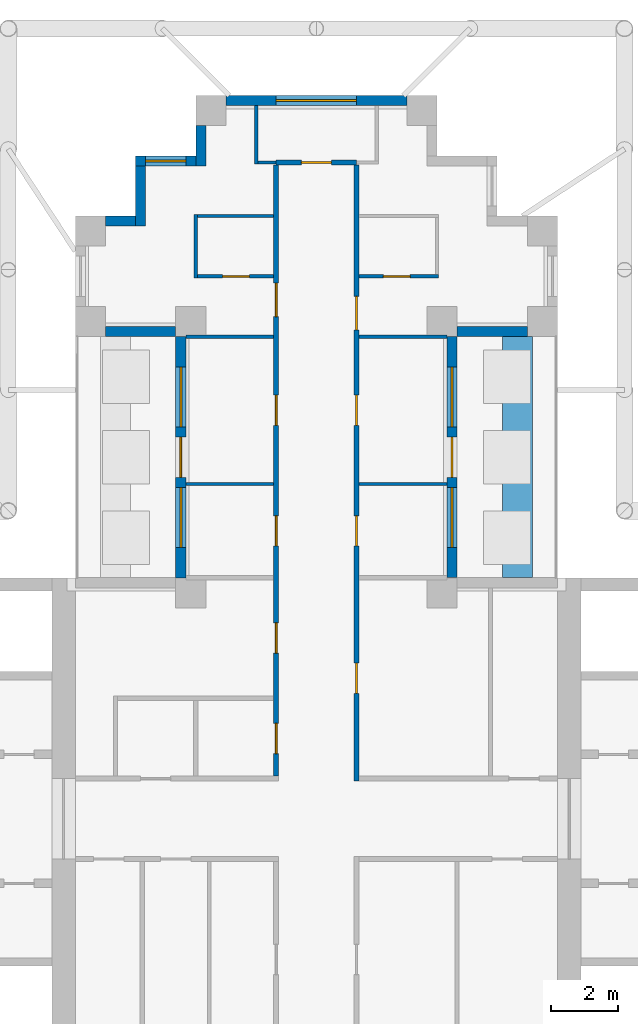
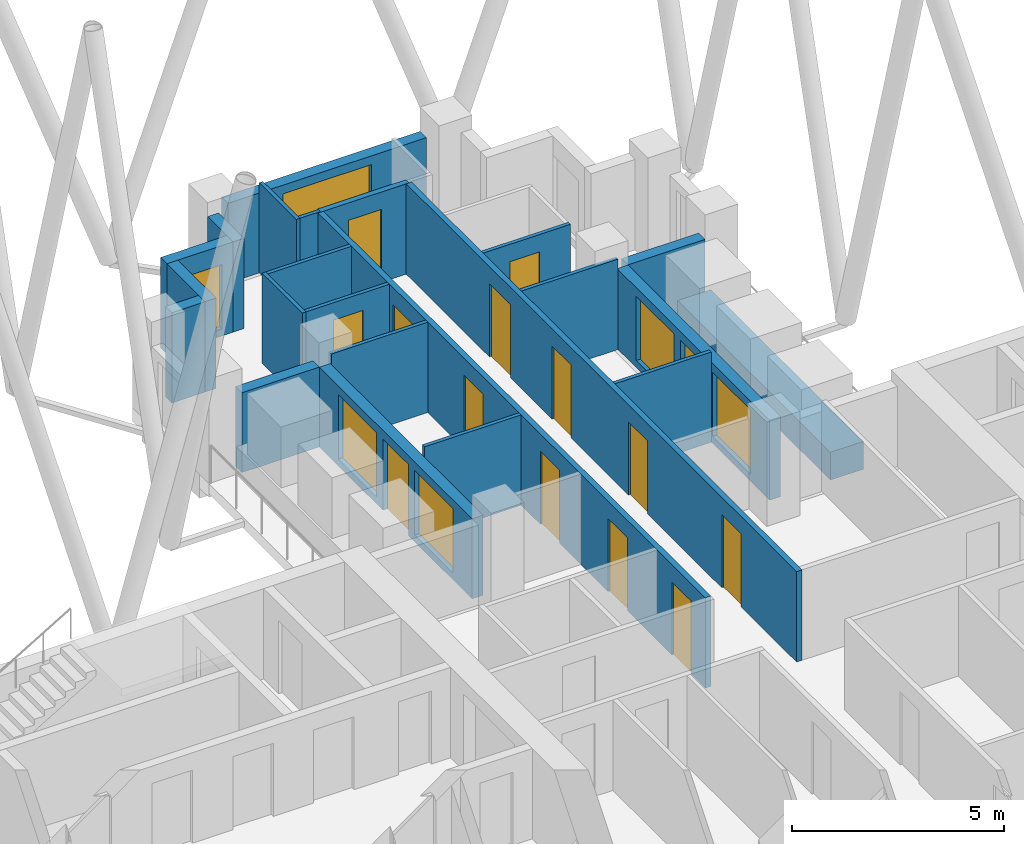
# One storey, part 8 of 11: 23 walls, 14 doors, 6 windows, 20 openings.
"""IFC4 building model written with IfcOpenShell, lengths in metres."""

from ifc_helpers import new_model, si_unit, direction, frame, frame_2d, origin, place, context, subcontext, project, spatial, rectangle, extrude, material, layer, layer_set, type_object, element, fill, save


model = new_model("IFC4")

# Units and contexts
model_context = context("Model", 3, precision=1e-05, world=origin(), true_north=direction((0.0, 1.0)))
body_context = subcontext(model_context, "Body", "Model", "MODEL_VIEW")
ifc_project = project(units=[si_unit("LENGTHUNIT", "METRE"), si_unit("AREAUNIT", "SQUARE_METRE"), si_unit("VOLUMEUNIT", "CUBIC_METRE"), si_unit("PLANEANGLEUNIT", "RADIAN"), si_unit("MASSUNIT", "GRAM", prefix="KILO")], contexts=[model_context])

# Site, building, storey
site_placement = place(None, origin())
site = spatial("IfcSite", under=ifc_project, at=site_placement, CompositionType="ELEMENT")
building_placement = place(site_placement, origin())
building = spatial("IfcBuilding", under=site, at=building_placement, Name="Fustian Cross Tower", CompositionType="ELEMENT")
storey_placement = place(building_placement, frame((0.0, 0.0, 234.89990234375)))
storey = spatial("IfcBuildingStorey", under=building, at=storey_placement, Name="L74", CompositionType="ELEMENT", Elevation=234.89990234375)

# Wall, openings, doors
ifc_material_1 = material(Name="Plasterboard on steel stud", Category="steel")
ifc_layer_1 = layer(ifc_material_1, 0.14990234375)
ifc_layer_set_1 = layer_set([ifc_layer_1], Name="Plasterboard on steel stud")
wall_type_1 = type_object("IfcWallType", Name="COMPARTMENT WALL 150 EI 60", PredefinedType="PARTITIONING", material=ifc_layer_set_1)
wall_1_placement = place(storey_placement, frame((-1.199951171875, 1.27490234375, 0.0), z_axis=(0.0, 0.0, 1.0), x_axis=(0.0, 1.0, 0.0)))
wall_1 = element("IfcWall", 1, at=wall_1_placement, inside=storey, type_object=wall_type_1, Name="Partition 40", PredefinedType="PARTITIONING", context=body_context, shape_type="SweptSolid", body=[
    extrude(rectangle(XDim=18.25, YDim=0.14990234375, at=frame_2d((9.125, 0.0))), origin(), (0.0, 0.0, 1.0), 2.60009765625),
])
opening_1_placement = place(wall_1_placement, frame((0.675048828125, 0.0, 0.0)))
opening_1 = element("IfcOpeningElement", 2, at=opening_1_placement, cuts=wall_1, Name="Opening D33003", PredefinedType="OPENING", context=body_context, shape_type="SweptSolid", body=[
    extrude(rectangle(XDim=0.89990234375, YDim=2.10009765625, at=frame_2d((0.449951171875, 1.050048828125))), frame((0.0, 0.0849609375, 0.0), z_axis=(0.0, -1.0, 0.0), x_axis=(1.0, 0.0, 0.0)), (0.0, 0.0, 1.0), 0.169921875),
])
opening_2_placement = place(wall_1_placement, frame((3.675048828125, 0.0, 0.0)))
opening_2 = element("IfcOpeningElement", 3, at=opening_2_placement, cuts=wall_1, Name="Opening D33005", PredefinedType="OPENING", context=body_context, shape_type="SweptSolid", body=[
    extrude(rectangle(XDim=0.89990234375, YDim=2.10009765625, at=frame_2d((0.449951171875, 1.050048828125))), frame((0.0, 0.0849609375, 0.0), z_axis=(0.0, -1.0, 0.0), x_axis=(1.0, 0.0, 0.0)), (0.0, 0.0, 1.0), 0.169921875),
])
opening_3_placement = place(wall_1_placement, frame((6.875, 0.0, 0.0)))
opening_3 = element("IfcOpeningElement", 4, at=opening_3_placement, cuts=wall_1, Name="Opening D33018", PredefinedType="OPENING", context=body_context, shape_type="SweptSolid", body=[
    extrude(rectangle(XDim=0.89990234375, YDim=2.10009765625, at=frame_2d((0.449951171875, 1.050048828125))), frame((0.0, 0.0849609375, 0.0), z_axis=(0.0, -1.0, 0.0), x_axis=(1.0, 0.0, 0.0)), (0.0, 0.0, 1.0), 0.169921875),
])
opening_4_placement = place(wall_1_placement, frame((10.47509765625, 0.0, 0.0)))
opening_4 = element("IfcOpeningElement", 5, at=opening_4_placement, cuts=wall_1, Name="Opening D33019", PredefinedType="OPENING", context=body_context, shape_type="SweptSolid", body=[
    extrude(rectangle(XDim=0.89990234375, YDim=2.10009765625, at=frame_2d((0.449951171875, 1.050048828125))), frame((0.0, 0.0849609375, 0.0), z_axis=(0.0, -1.0, 0.0), x_axis=(1.0, 0.0, 0.0)), (0.0, 0.0, 1.0), 0.169921875),
])
opening_5_placement = place(wall_1_placement, frame((13.72509765625, 0.0, 0.0)))
opening_5 = element("IfcOpeningElement", 6, at=opening_5_placement, cuts=wall_1, Name="Opening D33021", PredefinedType="OPENING", context=body_context, shape_type="SweptSolid", body=[
    extrude(rectangle(XDim=1.0, YDim=2.10009765625, at=frame_2d((0.5, 1.050048828125))), frame((0.0, 0.0849609375, 0.0), z_axis=(0.0, -1.0, 0.0), x_axis=(1.0, 0.0, 0.0)), (0.0, 0.0, 1.0), 0.169921875),
])
ifc_material_2 = material(Name="Timber fire door set", Category="wood")
door_type_1 = type_object("IfcDoorType", Name="FIRE SWING DOOR 1000 FD30S", OperationType="SINGLE_SWING_LEFT", PredefinedType="DOOR", material=ifc_material_2)
door_1_placement = place(opening_5_placement, origin())
door_1 = element("IfcDoor", 7, at=door_1_placement, inside=storey, type_object=door_type_1, Name="Door D33021", OperationType="SINGLE_SWING_RIGHT", OverallHeight=2.10009765625, OverallWidth=1.0, PredefinedType="DOOR", context=body_context, shape_type="SweptSolid", body=[
    extrude(rectangle(XDim=1.0, YDim=2.10009765625, at=frame_2d((0.5, 1.050048828125))), frame((0.0, 0.02490234375, 0.0), z_axis=(0.0, -1.0, 0.0), x_axis=(1.0, 0.0, 0.0)), (0.0, 0.0, 1.0), 0.050048828125),
])
fill(opening_5, door_1)
ifc_material_3 = material(Name="Timber fire door set", Category="wood")
door_type_2 = type_object("IfcDoorType", Name="FIRE SWING DOOR 900 FD30S", OperationType="SINGLE_SWING_LEFT", PredefinedType="DOOR", material=ifc_material_3)
door_2_placement = place(opening_1_placement, origin())
door_2 = element("IfcDoor", 8, at=door_2_placement, inside=storey, type_object=door_type_2, Name="Door D33003", OperationType="SINGLE_SWING_LEFT", OverallHeight=2.10009765625, OverallWidth=0.89990234375, PredefinedType="DOOR", context=body_context, shape_type="SweptSolid", body=[
    extrude(rectangle(XDim=0.89990234375, YDim=2.10009765625, at=frame_2d((0.449951171875, 1.050048828125))), frame((0.0, 0.02490234375, 0.0), z_axis=(0.0, -1.0, 0.0), x_axis=(1.0, 0.0, 0.0)), (0.0, 0.0, 1.0), 0.050048828125),
])
fill(opening_1, door_2)
door_3_placement = place(opening_2_placement, origin())
door_3 = element("IfcDoor", 9, at=door_3_placement, inside=storey, type_object=door_type_2, Name="Door D33005", OperationType="SINGLE_SWING_LEFT", OverallHeight=2.10009765625, OverallWidth=0.89990234375, PredefinedType="DOOR", context=body_context, shape_type="SweptSolid", body=[
    extrude(rectangle(XDim=0.89990234375, YDim=2.10009765625, at=frame_2d((0.449951171875, 1.050048828125))), frame((0.0, 0.02490234375, 0.0), z_axis=(0.0, -1.0, 0.0), x_axis=(1.0, 0.0, 0.0)), (0.0, 0.0, 1.0), 0.050048828125),
])
fill(opening_2, door_3)
door_4_placement = place(opening_3_placement, origin())
door_4 = element("IfcDoor", 10, at=door_4_placement, inside=storey, type_object=door_type_2, Name="Door D33018", OperationType="SINGLE_SWING_LEFT", OverallHeight=2.10009765625, OverallWidth=0.89990234375, PredefinedType="DOOR", context=body_context, shape_type="SweptSolid", body=[
    extrude(rectangle(XDim=0.89990234375, YDim=2.10009765625, at=frame_2d((0.449951171875, 1.050048828125))), frame((0.0, 0.02490234375, 0.0), z_axis=(0.0, -1.0, 0.0), x_axis=(1.0, 0.0, 0.0)), (0.0, 0.0, 1.0), 0.050048828125),
])
fill(opening_3, door_4)
door_5_placement = place(opening_4_placement, origin())
door_5 = element("IfcDoor", 11, at=door_5_placement, inside=storey, type_object=door_type_2, Name="Door D33019", OperationType="SINGLE_SWING_LEFT", OverallHeight=2.10009765625, OverallWidth=0.89990234375, PredefinedType="DOOR", context=body_context, shape_type="SweptSolid", body=[
    extrude(rectangle(XDim=0.89990234375, YDim=2.10009765625, at=frame_2d((0.449951171875, 1.050048828125))), frame((0.0, 0.02490234375, 0.0), z_axis=(0.0, -1.0, 0.0), x_axis=(1.0, 0.0, 0.0)), (0.0, 0.0, 1.0), 0.050048828125),
])
fill(opening_4, door_5)

# Wall, opening, door
wall_2_placement = place(storey_placement, frame((-1.199951171875, 19.60009765625, 0.0), z_axis=(0.0, 0.0, 1.0), x_axis=(1.0, 0.0, 0.0)))
wall_2 = element("IfcWall", 12, at=wall_2_placement, inside=storey, type_object=wall_type_1, Name="Partition 41", PredefinedType="PARTITIONING", context=body_context, shape_type="SweptSolid", body=[
    extrude(rectangle(XDim=2.39990234375, YDim=0.14990234375, at=frame_2d((1.199951171875, 0.0))), origin(), (0.0, 0.0, 1.0), 2.60009765625),
])
opening_6_placement = place(wall_2_placement, frame((0.75, 0.0, 0.0)))
opening_6 = element("IfcOpeningElement", 13, at=opening_6_placement, cuts=wall_2, Name="Opening D33017", PredefinedType="OPENING", context=body_context, shape_type="SweptSolid", body=[
    extrude(rectangle(XDim=0.89990234375, YDim=2.10009765625, at=frame_2d((0.449951171875, 1.050048828125))), frame((0.0, 0.0849609375, 0.0), z_axis=(0.0, -1.0, 0.0), x_axis=(1.0, 0.0, 0.0)), (0.0, 0.0, 1.0), 0.169921875),
])
door_6_placement = place(opening_6_placement, origin())
door_6 = element("IfcDoor", 14, at=door_6_placement, inside=storey, type_object=door_type_2, Name="Door D33017", OperationType="SINGLE_SWING_LEFT", OverallHeight=2.10009765625, OverallWidth=0.89990234375, PredefinedType="DOOR", context=body_context, shape_type="SweptSolid", body=[
    extrude(rectangle(XDim=0.89990234375, YDim=2.10009765625, at=frame_2d((0.449951171875, 1.050048828125))), frame((0.0, 0.02490234375, 0.0), z_axis=(0.0, -1.0, 0.0), x_axis=(1.0, 0.0, 0.0)), (0.0, 0.0, 1.0), 0.050048828125),
])
fill(opening_6, door_6)

# Wall, openings, doors
wall_3_placement = place(storey_placement, frame((1.199951171875, 1.125, 0.0), z_axis=(0.0, 0.0, 1.0), x_axis=(0.0, 1.0, 0.0)))
wall_3 = element("IfcWall", 15, at=wall_3_placement, inside=storey, type_object=wall_type_1, Name="Partition 48", PredefinedType="PARTITIONING", context=body_context, shape_type="SweptSolid", body=[
    extrude(rectangle(XDim=18.39990234375, YDim=0.14990234375, at=frame_2d((9.199951171875, 0.0))), origin(), (0.0, 0.0, 1.0), 2.60009765625),
])
opening_7_placement = place(wall_3_placement, frame((2.625, 0.0, 0.0)))
opening_7 = element("IfcOpeningElement", 16, at=opening_7_placement, cuts=wall_3, Name="Opening D33001", PredefinedType="OPENING", context=body_context, shape_type="SweptSolid", body=[
    extrude(rectangle(XDim=0.89990234375, YDim=2.10009765625, at=frame_2d((0.449951171875, 1.050048828125))), frame((0.0, 0.0849609375, 0.0), z_axis=(0.0, -1.0, 0.0), x_axis=(1.0, 0.0, 0.0)), (0.0, 0.0, 1.0), 0.169921875),
])
opening_8_placement = place(wall_3_placement, frame((7.02490234375, 0.0, 0.0)))
opening_8 = element("IfcOpeningElement", 17, at=opening_8_placement, cuts=wall_3, Name="Opening D33022", PredefinedType="OPENING", context=body_context, shape_type="SweptSolid", body=[
    extrude(rectangle(XDim=0.89990234375, YDim=2.10009765625, at=frame_2d((0.449951171875, 1.050048828125))), frame((0.0, 0.0849609375, 0.0), z_axis=(0.0, -1.0, 0.0), x_axis=(1.0, 0.0, 0.0)), (0.0, 0.0, 1.0), 0.169921875),
])
opening_9_placement = place(wall_3_placement, frame((10.625, 0.0, 0.0)))
opening_9 = element("IfcOpeningElement", 18, at=opening_9_placement, cuts=wall_3, Name="Opening D33023", PredefinedType="OPENING", context=body_context, shape_type="SweptSolid", body=[
    extrude(rectangle(XDim=0.89990234375, YDim=2.10009765625, at=frame_2d((0.449951171875, 1.050048828125))), frame((0.0, 0.0849609375, 0.0), z_axis=(0.0, -1.0, 0.0), x_axis=(1.0, 0.0, 0.0)), (0.0, 0.0, 1.0), 0.169921875),
])
opening_10_placement = place(wall_3_placement, frame((13.47509765625, 0.0, 0.0)))
opening_10 = element("IfcOpeningElement", 19, at=opening_10_placement, cuts=wall_3, Name="Opening D33025", PredefinedType="OPENING", context=body_context, shape_type="SweptSolid", body=[
    extrude(rectangle(XDim=1.0, YDim=2.10009765625, at=frame_2d((0.5, 1.050048828125))), frame((0.0, 0.0849609375, 0.0), z_axis=(0.0, -1.0, 0.0), x_axis=(1.0, 0.0, 0.0)), (0.0, 0.0, 1.0), 0.169921875),
])
door_7_placement = place(opening_10_placement, frame((1.0, 0.0, 0.0), z_axis=(0.0, 0.0, 1.0), x_axis=(-1.0, 0.0, 0.0)))
door_7 = element("IfcDoor", 20, at=door_7_placement, inside=storey, type_object=door_type_1, Name="Door D33025", OperationType="SINGLE_SWING_RIGHT", OverallHeight=2.10009765625, OverallWidth=1.0, PredefinedType="DOOR", context=body_context, shape_type="SweptSolid", body=[
    extrude(rectangle(XDim=1.0, YDim=2.10009765625, at=frame_2d((0.5, 1.050048828125))), frame((0.0, 0.02490234375, 0.0), z_axis=(0.0, -1.0, 0.0), x_axis=(1.0, 0.0, 0.0)), (0.0, 0.0, 1.0), 0.050048828125),
])
fill(opening_10, door_7)
door_8_placement = place(opening_7_placement, frame((0.89990234375, 0.0, 0.0), z_axis=(0.0, 0.0, 1.0), x_axis=(-1.0, 0.0, 0.0)))
door_8 = element("IfcDoor", 21, at=door_8_placement, inside=storey, type_object=door_type_2, Name="Door D33001", OperationType="SINGLE_SWING_RIGHT", OverallHeight=2.10009765625, OverallWidth=0.89990234375, PredefinedType="DOOR", context=body_context, shape_type="SweptSolid", body=[
    extrude(rectangle(XDim=0.89990234375, YDim=2.10009765625, at=frame_2d((0.449951171875, 1.050048828125))), frame((0.0, 0.02490234375, 0.0), z_axis=(0.0, -1.0, 0.0), x_axis=(1.0, 0.0, 0.0)), (0.0, 0.0, 1.0), 0.050048828125),
])
fill(opening_7, door_8)
door_9_placement = place(opening_8_placement, frame((0.89990234375, 0.0, 0.0), z_axis=(0.0, 0.0, 1.0), x_axis=(-1.0, 0.0, 0.0)))
door_9 = element("IfcDoor", 22, at=door_9_placement, inside=storey, type_object=door_type_2, Name="Door D33022", OperationType="SINGLE_SWING_RIGHT", OverallHeight=2.10009765625, OverallWidth=0.89990234375, PredefinedType="DOOR", context=body_context, shape_type="SweptSolid", body=[
    extrude(rectangle(XDim=0.89990234375, YDim=2.10009765625, at=frame_2d((0.449951171875, 1.050048828125))), frame((0.0, 0.02490234375, 0.0), z_axis=(0.0, -1.0, 0.0), x_axis=(1.0, 0.0, 0.0)), (0.0, 0.0, 1.0), 0.050048828125),
])
fill(opening_8, door_9)
door_10_placement = place(opening_9_placement, frame((0.89990234375, 0.0, 0.0), z_axis=(0.0, 0.0, 1.0), x_axis=(-1.0, 0.0, 0.0)))
door_10 = element("IfcDoor", 23, at=door_10_placement, inside=storey, type_object=door_type_2, Name="Door D33023", OperationType="SINGLE_SWING_RIGHT", OverallHeight=2.10009765625, OverallWidth=0.89990234375, PredefinedType="DOOR", context=body_context, shape_type="SweptSolid", body=[
    extrude(rectangle(XDim=0.89990234375, YDim=2.10009765625, at=frame_2d((0.449951171875, 1.050048828125))), frame((0.0, 0.02490234375, 0.0), z_axis=(0.0, -1.0, 0.0), x_axis=(1.0, 0.0, 0.0)), (0.0, 0.0, 1.0), 0.050048828125),
])
fill(opening_9, door_10)

# Walls
ifc_material_4 = material(Name="Plasterboard on steel stud", Category="steel")
ifc_layer_2 = layer(ifc_material_4, 0.10009765625)
ifc_layer_set_2 = layer_set([ifc_layer_2], Name="Plasterboard on steel stud")
wall_type_2 = type_object("IfcWallType", Name="PARTITION 100 STUD", PredefinedType="PARTITIONING", material=ifc_layer_set_2)
for number, where, z_axis, x_axis, name in (
    (24, (-3.89990234375, 10.0, 0.0), (0.0, 0.0, 1.0), (1.0, 0.0, 0.0), "Partition 24"),
    (25, (-3.89990234375, 14.39990234375, 0.0), (0.0, 0.0, 1.0), (1.0, 0.0, 0.0), "Partition 25"),
):
    element("IfcWall", number, at=place(storey_placement, frame(where, z_axis=z_axis, x_axis=x_axis)), inside=storey, type_object=wall_type_2, Name=name, PredefinedType="PARTITIONING", context=body_context, shape_type="SweptSolid", body=[
        extrude(rectangle(XDim=2.625, YDim=0.10009765625, at=frame_2d((1.3125, 0.0))), origin(), (0.0, 0.0, 1.0), 2.60009765625),
    ])
wall_4_placement = place(storey_placement, frame((-3.60009765625, 16.14990234375, 0.0), z_axis=(0.0, 0.0, 1.0), x_axis=(0.0, 1.0, 0.0)))
element("IfcWall", 26, at=wall_4_placement, inside=storey, type_object=wall_type_2, Name="Partition 30", PredefinedType="PARTITIONING", context=body_context, shape_type="SweptSolid", body=[
    extrude(rectangle(XDim=1.900146484375, YDim=0.10009765625, at=frame_2d((0.9501953125, 0.0))), origin(), (0.0, 0.0, 1.0), 2.60009765625),
])

# Wall, opening, door
wall_5_placement = place(storey_placement, frame((-3.550048828125, 16.199951171875, 0.0), z_axis=(0.0, 0.0, 1.0), x_axis=(1.0, 0.0, 0.0)))
wall_5 = element("IfcWall", 27, at=wall_5_placement, inside=storey, type_object=wall_type_2, Name="Partition 31", PredefinedType="PARTITIONING", context=body_context, shape_type="SweptSolid", body=[
    extrude(rectangle(XDim=2.275146484375, YDim=0.10009765625, at=frame_2d((1.1376953125, 0.0))), origin(), (0.0, 0.0, 1.0), 2.60009765625),
])
opening_11_placement = place(wall_5_placement, frame((0.75, 0.0, 0.0)))
opening_11 = element("IfcOpeningElement", 28, at=opening_11_placement, cuts=wall_5, Name="Opening D33020", PredefinedType="OPENING", context=body_context, shape_type="SweptSolid", body=[
    extrude(rectangle(XDim=0.800048828125, YDim=2.10009765625, at=frame_2d((0.39990234375, 1.050048828125))), frame((0.0, 0.06005859375, 0.0), z_axis=(0.0, -1.0, 0.0), x_axis=(1.0, 0.0, 0.0)), (0.0, 0.0, 1.0), 0.1201171875),
])
ifc_material_5 = material(Name="Painted timber", Category="wood")
door_type_3 = type_object("IfcDoorType", Name="SWING DOOR 800", OperationType="SINGLE_SWING_LEFT", PredefinedType="DOOR", material=ifc_material_5)
door_11_placement = place(opening_11_placement, origin())
door_11 = element("IfcDoor", 29, at=door_11_placement, inside=storey, type_object=door_type_3, Name="Door D33020", OperationType="SINGLE_SWING_LEFT", OverallHeight=2.10009765625, OverallWidth=0.800048828125, PredefinedType="DOOR", context=body_context, shape_type="SweptSolid", body=[
    extrude(rectangle(XDim=0.800048828125, YDim=2.10009765625, at=frame_2d((0.39990234375, 1.050048828125))), frame((0.0, 0.02490234375, 0.0), z_axis=(0.0, -1.0, 0.0), x_axis=(1.0, 0.0, 0.0)), (0.0, 0.0, 1.0), 0.050048828125),
])
fill(opening_11, door_11)

# Walls
wall_6_placement = place(storey_placement, frame((-3.550048828125, 18.0, 0.0), z_axis=(0.0, 0.0, 1.0), x_axis=(1.0, 0.0, 0.0)))
element("IfcWall", 30, at=wall_6_placement, inside=storey, type_object=wall_type_2, Name="Partition 32", PredefinedType="PARTITIONING", context=body_context, shape_type="SweptSolid", body=[
    extrude(rectangle(XDim=2.275146484375, YDim=0.10009765625, at=frame_2d((1.1376953125, 0.0))), origin(), (0.0, 0.0, 1.0), 2.60009765625),
])
wall_7_placement = place(storey_placement, frame((-1.800048828125, 19.550048828125, 0.0), z_axis=(0.0, 0.0, 1.0), x_axis=(0.0, 1.0, 0.0)))
element("IfcWall", 31, at=wall_7_placement, inside=storey, type_object=wall_type_2, Name="Partition 36", PredefinedType="PARTITIONING", context=body_context, shape_type="SweptSolid", body=[
    extrude(rectangle(XDim=1.75, YDim=0.10009765625, at=frame_2d((0.875, 0.0))), origin(), (0.0, 0.0, 1.0), 2.60009765625),
])
wall_8_placement = place(storey_placement, frame((-1.75, 19.60009765625, 0.0), z_axis=(0.0, 0.0, 1.0), x_axis=(1.0, 0.0, 0.0)))
element("IfcWall", 32, at=wall_8_placement, inside=storey, type_object=wall_type_2, Name="Partition 37", PredefinedType="PARTITIONING", context=body_context, shape_type="SweptSolid", body=[
    extrude(rectangle(XDim=0.550048828125, YDim=0.10009765625, at=frame_2d((0.27490234375, 0.0))), origin(), (0.0, 0.0, 1.0), 2.60009765625),
])
for number, where, z_axis, x_axis, name in (
    (33, (1.27490234375, 10.0, 0.0), (0.0, 0.0, 1.0), (1.0, 0.0, 0.0), "Partition 51"),
    (34, (1.27490234375, 14.39990234375, 0.0), (0.0, 0.0, 1.0), (1.0, 0.0, 0.0), "Partition 52"),
):
    element("IfcWall", number, at=place(storey_placement, frame(where, z_axis=z_axis, x_axis=x_axis)), inside=storey, type_object=wall_type_2, Name=name, PredefinedType="PARTITIONING", context=body_context, shape_type="SweptSolid", body=[
        extrude(rectangle(XDim=2.625, YDim=0.10009765625, at=frame_2d((1.3125, 0.0))), origin(), (0.0, 0.0, 1.0), 2.60009765625),
    ])

# Wall, opening, door
wall_9_placement = place(storey_placement, frame((1.27490234375, 16.199951171875, 0.0), z_axis=(0.0, 0.0, 1.0), x_axis=(1.0, 0.0, 0.0)))
wall_9 = element("IfcWall", 35, at=wall_9_placement, inside=storey, type_object=wall_type_2, Name="Partition 53", PredefinedType="PARTITIONING", context=body_context, shape_type="SweptSolid", body=[
    extrude(rectangle(XDim=2.375, YDim=0.10009765625, at=frame_2d((1.1875, 0.0))), origin(), (0.0, 0.0, 1.0), 2.60009765625),
])
opening_12_placement = place(wall_9_placement, frame((0.72509765625, 0.0, 0.0)))
opening_12 = element("IfcOpeningElement", 36, at=opening_12_placement, cuts=wall_9, Name="Opening D33024", PredefinedType="OPENING", context=body_context, shape_type="SweptSolid", body=[
    extrude(rectangle(XDim=0.800048828125, YDim=2.10009765625, at=frame_2d((0.39990234375, 1.050048828125))), frame((0.0, 0.06005859375, 0.0), z_axis=(0.0, -1.0, 0.0), x_axis=(1.0, 0.0, 0.0)), (0.0, 0.0, 1.0), 0.1201171875),
])
door_12_placement = place(opening_12_placement, origin())
door_12 = element("IfcDoor", 37, at=door_12_placement, inside=storey, type_object=door_type_3, Name="Door D33024", OperationType="SINGLE_SWING_LEFT", OverallHeight=2.10009765625, OverallWidth=0.800048828125, PredefinedType="DOOR", context=body_context, shape_type="SweptSolid", body=[
    extrude(rectangle(XDim=0.800048828125, YDim=2.10009765625, at=frame_2d((0.39990234375, 1.050048828125))), frame((0.0, 0.02490234375, 0.0), z_axis=(0.0, -1.0, 0.0), x_axis=(1.0, 0.0, 0.0)), (0.0, 0.0, 1.0), 0.050048828125),
])
fill(opening_12, door_12)

# Wall
ifc_material_6 = material(Name="Concrete C40/50", Category="concrete")
ifc_layer_3 = layer(ifc_material_6, 0.89990234375)
ifc_layer_set_3 = layer_set([ifc_layer_3], Name="Concrete C40/50")
wall_type_3 = type_object("IfcWallType", Name="PK1 PLANTER 900", PredefinedType="PARAPET", material=ifc_layer_set_3)
wall_10_placement = place(storey_placement, frame((6.0, 7.199951171875, 0.0), z_axis=(0.0, 0.0, 1.0), x_axis=(0.0, 1.0, 0.0)))
element("IfcWall", 38, at=wall_10_placement, inside=storey, type_object=wall_type_3, Name="PLANTER", PredefinedType="PARAPET", context=body_context, shape_type="SweptSolid", body=[
    extrude(rectangle(XDim=7.199951171875, YDim=0.89990234375, at=frame_2d((3.60009765625, 0.0))), origin(), (0.0, 0.0, 1.0), 0.800048828125),
])

# Wall, openings, door, windows
ifc_material_7 = material(Name="Dark aluminium cladding on insulated backing wall", Category="aluminium")
ifc_layer_4 = layer(ifc_material_7, 0.300048828125)
ifc_layer_set_4 = layer_set([ifc_layer_4], Name="Dark aluminium cladding on insulated backing wall")
wall_type_4 = type_object("IfcWallType", Name="XW1 EXTERNAL WALL 300", PredefinedType="SOLIDWALL", material=ifc_layer_set_4)
wall_11_placement = place(storey_placement, frame((4.050048828125, 7.199951171875, 0.0), z_axis=(0.0, 0.0, 1.0), x_axis=(0.0, 1.0, 0.0)))
wall_11 = element("IfcWall", 39, at=wall_11_placement, inside=storey, type_object=wall_type_4, Name="External wall", PredefinedType="SOLIDWALL", context=body_context, shape_type="SweptSolid", body=[
    extrude(rectangle(XDim=7.199951171875, YDim=0.300048828125, at=frame_2d((3.60009765625, 0.0))), origin(), (0.0, 0.0, 1.0), 2.300048828125),
])
opening_13_placement = place(wall_11_placement, frame((3.0, 0.0, 0.0)))
opening_13 = element("IfcOpeningElement", 40, at=opening_13_placement, cuts=wall_11, Name="Opening XD1", PredefinedType="OPENING", context=body_context, shape_type="SweptSolid", body=[
    extrude(rectangle(XDim=1.199951171875, YDim=2.050048828125, at=frame_2d((0.60009765625, 1.02490234375))), frame((0.0, 0.159912109375, 0.0), z_axis=(0.0, -1.0, 0.0), x_axis=(1.0, 0.0, 0.0)), (0.0, 0.0, 1.0), 0.320068359375),
])
opening_14_placement = place(wall_11_placement, frame((0.89990234375, 0.0, 0.199951171875)))
opening_14 = element("IfcOpeningElement", 41, at=opening_14_placement, cuts=wall_11, Name="Opening WN2", PredefinedType="OPENING", context=body_context, shape_type="SweptSolid", body=[
    extrude(rectangle(XDim=1.800048828125, YDim=1.85009765625, at=frame_2d((0.89990234375, 0.925048828125))), frame((0.0, 0.159912109375, 0.0), z_axis=(0.0, -1.0, 0.0), x_axis=(1.0, 0.0, 0.0)), (0.0, 0.0, 1.0), 0.320068359375),
])
opening_15_placement = place(wall_11_placement, frame((4.5, 0.0, 0.199951171875)))
opening_15 = element("IfcOpeningElement", 42, at=opening_15_placement, cuts=wall_11, Name="Opening WN2", PredefinedType="OPENING", context=body_context, shape_type="SweptSolid", body=[
    extrude(rectangle(XDim=1.800048828125, YDim=1.85009765625, at=frame_2d((0.89990234375, 0.925048828125))), frame((0.0, 0.159912109375, 0.0), z_axis=(0.0, -1.0, 0.0), x_axis=(1.0, 0.0, 0.0)), (0.0, 0.0, 1.0), 0.320068359375),
])
ifc_material_8 = material(Name="Dark anodised aluminium and double glazing", Category="aluminium")
door_type_4 = type_object("IfcDoorType", Name="ED1 BALCONY DOOR 1200X2050", OperationType="SINGLE_SWING_LEFT", PredefinedType="DOOR", material=ifc_material_8)
door_13_placement = place(opening_13_placement, origin())
door_13 = element("IfcDoor", 43, at=door_13_placement, inside=storey, type_object=door_type_4, Name="Balcony door", OperationType="SINGLE_SWING_LEFT", OverallHeight=2.050048828125, OverallWidth=1.199951171875, PredefinedType="DOOR", context=body_context, shape_type="SweptSolid", body=[
    extrude(rectangle(XDim=1.199951171875, YDim=2.050048828125, at=frame_2d((0.60009765625, 1.02490234375))), frame((0.0, 0.02490234375, 0.0), z_axis=(0.0, -1.0, 0.0), x_axis=(1.0, 0.0, 0.0)), (0.0, 0.0, 1.0), 0.050048828125),
])
fill(opening_13, door_13)
ifc_material_9 = material(Name="Dark anodised aluminium and double glazing", Category="aluminium")
window_type_1 = type_object("IfcWindowType", Name="WN2 WINDOW 1800X1850", PartitioningType="SINGLE_PANEL", PredefinedType="WINDOW", material=ifc_material_9)
window_1_placement = place(opening_14_placement, origin())
window_1 = element("IfcWindow", 44, at=window_1_placement, inside=storey, type_object=window_type_1, Name="Window", OverallHeight=1.85009765625, OverallWidth=1.800048828125, PartitioningType="SINGLE_PANEL", PredefinedType="WINDOW", context=body_context, shape_type="SweptSolid", body=[
    extrude(rectangle(XDim=1.800048828125, YDim=1.85009765625, at=frame_2d((0.89990234375, 0.925048828125))), frame((0.0, 0.030029296875, 0.0), z_axis=(0.0, -1.0, 0.0), x_axis=(1.0, 0.0, 0.0)), (0.0, 0.0, 1.0), 0.06005859375),
])
fill(opening_14, window_1)
window_2_placement = place(opening_15_placement, origin())
window_2 = element("IfcWindow", 45, at=window_2_placement, inside=storey, type_object=window_type_1, Name="Window", OverallHeight=1.85009765625, OverallWidth=1.800048828125, PartitioningType="SINGLE_PANEL", PredefinedType="WINDOW", context=body_context, shape_type="SweptSolid", body=[
    extrude(rectangle(XDim=1.800048828125, YDim=1.85009765625, at=frame_2d((0.89990234375, 0.925048828125))), frame((0.0, 0.030029296875, 0.0), z_axis=(0.0, -1.0, 0.0), x_axis=(1.0, 0.0, 0.0)), (0.0, 0.0, 1.0), 0.06005859375),
])
fill(opening_15, window_2)

# Wall
wall_12_placement = place(storey_placement, frame((4.199951171875, 14.550048828125, 0.0), z_axis=(0.0, 0.0, 1.0), x_axis=(1.0, 0.0, 0.0)))
element("IfcWall", 46, at=wall_12_placement, inside=storey, type_object=wall_type_4, Name="External wall", PredefinedType="SOLIDWALL", context=body_context, shape_type="SweptSolid", body=[
    extrude(rectangle(XDim=2.10009765625, YDim=0.300048828125, at=frame_2d((1.050048828125, 0.0))), origin(), (0.0, 0.0, 1.0), 2.300048828125),
])

# Wall, opening, window
wall_13_placement = place(storey_placement, frame((2.699951171875, 21.449951171875, 0.0), z_axis=(0.0, 0.0, 1.0), x_axis=(-1.0, 0.0, 0.0)))
wall_13 = element("IfcWall", 47, at=wall_13_placement, inside=storey, type_object=wall_type_4, Name="External wall", PredefinedType="SOLIDWALL", context=body_context, shape_type="SweptSolid", body=[
    extrude(rectangle(XDim=5.39990234375, YDim=0.300048828125, at=frame_2d((2.699951171875, 0.0))), origin(), (0.0, 0.0, 1.0), 2.300048828125),
])
opening_16_placement = place(wall_13_placement, frame((1.5, 0.0, 0.199951171875)))
opening_16 = element("IfcOpeningElement", 48, at=opening_16_placement, cuts=wall_13, Name="Opening WN1", PredefinedType="OPENING", context=body_context, shape_type="SweptSolid", body=[
    extrude(rectangle(XDim=2.39990234375, YDim=1.85009765625, at=frame_2d((1.199951171875, 0.925048828125))), frame((0.0, 0.159912109375, 0.0), z_axis=(0.0, -1.0, 0.0), x_axis=(1.0, 0.0, 0.0)), (0.0, 0.0, 1.0), 0.320068359375),
])
ifc_material_10 = material(Name="Dark anodised aluminium and double glazing", Category="aluminium")
window_type_2 = type_object("IfcWindowType", Name="WN1 WINDOW 2400X1850", PartitioningType="SINGLE_PANEL", PredefinedType="WINDOW", material=ifc_material_10)
window_3_placement = place(opening_16_placement, origin())
window_3 = element("IfcWindow", 49, at=window_3_placement, inside=storey, type_object=window_type_2, Name="Window", OverallHeight=1.85009765625, OverallWidth=2.39990234375, PartitioningType="SINGLE_PANEL", PredefinedType="WINDOW", context=body_context, shape_type="SweptSolid", body=[
    extrude(rectangle(XDim=2.39990234375, YDim=1.85009765625, at=frame_2d((1.199951171875, 0.925048828125))), frame((0.0, 0.030029296875, 0.0), z_axis=(0.0, -1.0, 0.0), x_axis=(1.0, 0.0, 0.0)), (0.0, 0.0, 1.0), 0.06005859375),
])
fill(opening_16, window_3)

# Wall
wall_14_placement = place(storey_placement, frame((-3.449951171875, 20.699951171875, 0.0), z_axis=(0.0, 0.0, 1.0), x_axis=(0.0, -1.0, 0.0)))
element("IfcWall", 50, at=wall_14_placement, inside=storey, type_object=wall_type_4, Name="External wall", PredefinedType="SOLIDWALL", context=body_context, shape_type="SweptSolid", body=[
    extrude(rectangle(XDim=1.199951171875, YDim=0.300048828125, at=frame_2d((0.60009765625, 0.0))), origin(), (0.0, 0.0, 1.0), 2.60009765625),
])

# Wall, opening, window
wall_15_placement = place(storey_placement, frame((-3.60009765625, 19.64990234375, 0.0), z_axis=(0.0, 0.0, 1.0), x_axis=(-1.0, 0.0, 0.0)))
wall_15 = element("IfcWall", 51, at=wall_15_placement, inside=storey, type_object=wall_type_4, Name="External wall", PredefinedType="SOLIDWALL", context=body_context, shape_type="SweptSolid", body=[
    extrude(rectangle(XDim=1.7998046875, YDim=0.300048828125, at=frame_2d((0.89990234375, 0.0))), origin(), (0.0, 0.0, 1.0), 2.60009765625),
])
opening_17_placement = place(wall_15_placement, frame((0.300048828125, 0.0, 0.199951171875)))
opening_17 = element("IfcOpeningElement", 52, at=opening_17_placement, cuts=wall_15, Name="Opening WN3", PredefinedType="OPENING", context=body_context, shape_type="SweptSolid", body=[
    extrude(rectangle(XDim=1.199951171875, YDim=1.85009765625, at=frame_2d((0.60009765625, 0.925048828125))), frame((0.0, 0.159912109375, 0.0), z_axis=(0.0, -1.0, 0.0), x_axis=(1.0, 0.0, 0.0)), (0.0, 0.0, 1.0), 0.320068359375),
])
ifc_material_11 = material(Name="Dark anodised aluminium and double glazing", Category="aluminium")
window_type_3 = type_object("IfcWindowType", Name="WN3 WINDOW 1200X1850", PartitioningType="SINGLE_PANEL", PredefinedType="WINDOW", material=ifc_material_11)
window_4_placement = place(opening_17_placement, origin())
window_4 = element("IfcWindow", 53, at=window_4_placement, inside=storey, type_object=window_type_3, Name="Window", OverallHeight=1.85009765625, OverallWidth=1.199951171875, PartitioningType="SINGLE_PANEL", PredefinedType="WINDOW", context=body_context, shape_type="SweptSolid", body=[
    extrude(rectangle(XDim=1.199951171875, YDim=1.85009765625, at=frame_2d((0.60009765625, 0.925048828125))), frame((0.0, 0.030029296875, 0.0), z_axis=(0.0, -1.0, 0.0), x_axis=(1.0, 0.0, 0.0)), (0.0, 0.0, 1.0), 0.06005859375),
])
fill(opening_17, window_4)

# Walls
wall_16_placement = place(storey_placement, frame((-5.25, 19.5, 0.0), z_axis=(0.0, 0.0, 1.0), x_axis=(0.0, -1.0, 0.0)))
element("IfcWall", 54, at=wall_16_placement, inside=storey, type_object=wall_type_4, Name="External wall", PredefinedType="SOLIDWALL", context=body_context, shape_type="SweptSolid", body=[
    extrude(rectangle(XDim=1.800048828125, YDim=0.300048828125, at=frame_2d((0.89990234375, 0.0))), origin(), (0.0, 0.0, 1.0), 2.60009765625),
])
wall_17_placement = place(storey_placement, frame((-5.39990234375, 17.85009765625, 0.0), z_axis=(0.0, 0.0, 1.0), x_axis=(-1.0, 0.0, 0.0)))
element("IfcWall", 55, at=wall_17_placement, inside=storey, type_object=wall_type_4, Name="External wall", PredefinedType="SOLIDWALL", context=body_context, shape_type="SweptSolid", body=[
    extrude(rectangle(XDim=0.900146484375, YDim=0.300048828125, at=frame_2d((0.4501953125, 0.0))), origin(), (0.0, 0.0, 1.0), 2.60009765625),
])
wall_18_placement = place(storey_placement, frame((-6.300048828125, 14.550048828125, 0.0), z_axis=(0.0, 0.0, 1.0), x_axis=(1.0, 0.0, 0.0)))
element("IfcWall", 56, at=wall_18_placement, inside=storey, type_object=wall_type_4, Name="External wall", PredefinedType="SOLIDWALL", context=body_context, shape_type="SweptSolid", body=[
    extrude(rectangle(XDim=2.10009765625, YDim=0.300048828125, at=frame_2d((1.050048828125, 0.0))), origin(), (0.0, 0.0, 1.0), 2.300048828125),
])

# Wall, openings, door, windows
wall_19_placement = place(storey_placement, frame((-4.050048828125, 14.39990234375, 0.0), z_axis=(0.0, 0.0, 1.0), x_axis=(0.0, -1.0, 0.0)))
wall_19 = element("IfcWall", 57, at=wall_19_placement, inside=storey, type_object=wall_type_4, Name="External wall", PredefinedType="SOLIDWALL", context=body_context, shape_type="SweptSolid", body=[
    extrude(rectangle(XDim=7.199951171875, YDim=0.300048828125, at=frame_2d((3.60009765625, 0.0))), origin(), (0.0, 0.0, 1.0), 2.300048828125),
])
opening_18_placement = place(wall_19_placement, frame((3.0, 0.0, 0.0)))
opening_18 = element("IfcOpeningElement", 58, at=opening_18_placement, cuts=wall_19, Name="Opening XD2", PredefinedType="OPENING", context=body_context, shape_type="SweptSolid", body=[
    extrude(rectangle(XDim=1.199951171875, YDim=2.050048828125, at=frame_2d((0.60009765625, 1.02490234375))), frame((0.0, 0.159912109375, 0.0), z_axis=(0.0, -1.0, 0.0), x_axis=(1.0, 0.0, 0.0)), (0.0, 0.0, 1.0), 0.320068359375),
])
opening_19_placement = place(wall_19_placement, frame((0.89990234375, 0.0, 0.199951171875)))
opening_19 = element("IfcOpeningElement", 59, at=opening_19_placement, cuts=wall_19, Name="Opening WN2", PredefinedType="OPENING", context=body_context, shape_type="SweptSolid", body=[
    extrude(rectangle(XDim=1.800048828125, YDim=1.85009765625, at=frame_2d((0.89990234375, 0.925048828125))), frame((0.0, 0.159912109375, 0.0), z_axis=(0.0, -1.0, 0.0), x_axis=(1.0, 0.0, 0.0)), (0.0, 0.0, 1.0), 0.320068359375),
])
opening_20_placement = place(wall_19_placement, frame((4.5, 0.0, 0.199951171875)))
opening_20 = element("IfcOpeningElement", 60, at=opening_20_placement, cuts=wall_19, Name="Opening WN2", PredefinedType="OPENING", context=body_context, shape_type="SweptSolid", body=[
    extrude(rectangle(XDim=1.800048828125, YDim=1.85009765625, at=frame_2d((0.89990234375, 0.925048828125))), frame((0.0, 0.159912109375, 0.0), z_axis=(0.0, -1.0, 0.0), x_axis=(1.0, 0.0, 0.0)), (0.0, 0.0, 1.0), 0.320068359375),
])
door_14_placement = place(opening_18_placement, origin())
door_14 = element("IfcDoor", 61, at=door_14_placement, inside=storey, type_object=door_type_4, Name="Balcony door", OperationType="SINGLE_SWING_LEFT", OverallHeight=2.050048828125, OverallWidth=1.199951171875, PredefinedType="DOOR", context=body_context, shape_type="SweptSolid", body=[
    extrude(rectangle(XDim=1.199951171875, YDim=2.050048828125, at=frame_2d((0.60009765625, 1.02490234375))), frame((0.0, 0.02490234375, 0.0), z_axis=(0.0, -1.0, 0.0), x_axis=(1.0, 0.0, 0.0)), (0.0, 0.0, 1.0), 0.050048828125),
])
fill(opening_18, door_14)
window_5_placement = place(opening_19_placement, origin())
window_5 = element("IfcWindow", 62, at=window_5_placement, inside=storey, type_object=window_type_1, Name="Window", OverallHeight=1.85009765625, OverallWidth=1.800048828125, PartitioningType="SINGLE_PANEL", PredefinedType="WINDOW", context=body_context, shape_type="SweptSolid", body=[
    extrude(rectangle(XDim=1.800048828125, YDim=1.85009765625, at=frame_2d((0.89990234375, 0.925048828125))), frame((0.0, 0.030029296875, 0.0), z_axis=(0.0, -1.0, 0.0), x_axis=(1.0, 0.0, 0.0)), (0.0, 0.0, 1.0), 0.06005859375),
])
fill(opening_19, window_5)
window_6_placement = place(opening_20_placement, origin())
window_6 = element("IfcWindow", 63, at=window_6_placement, inside=storey, type_object=window_type_1, Name="Window", OverallHeight=1.85009765625, OverallWidth=1.800048828125, PartitioningType="SINGLE_PANEL", PredefinedType="WINDOW", context=body_context, shape_type="SweptSolid", body=[
    extrude(rectangle(XDim=1.800048828125, YDim=1.85009765625, at=frame_2d((0.89990234375, 0.925048828125))), frame((0.0, 0.030029296875, 0.0), z_axis=(0.0, -1.0, 0.0), x_axis=(1.0, 0.0, 0.0)), (0.0, 0.0, 1.0), 0.06005859375),
])
fill(opening_20, window_6)

save(model, "model.ifc")
